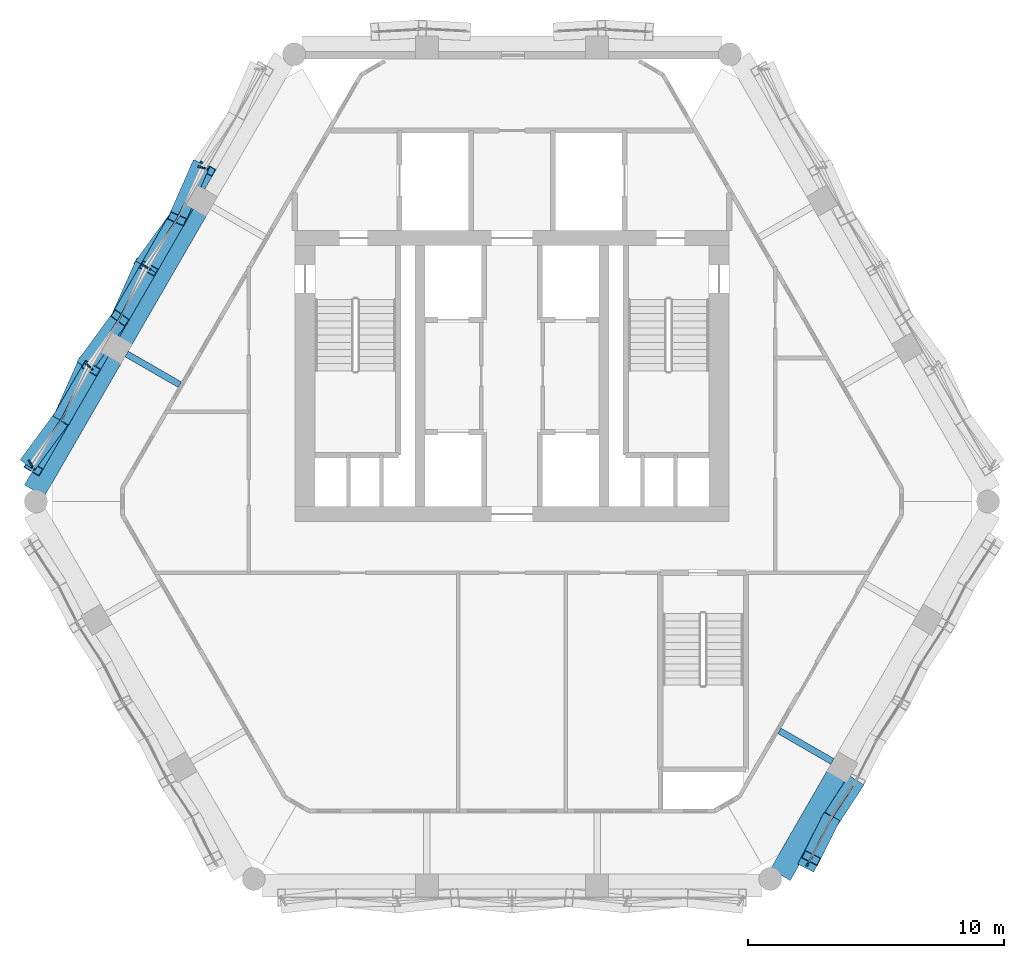
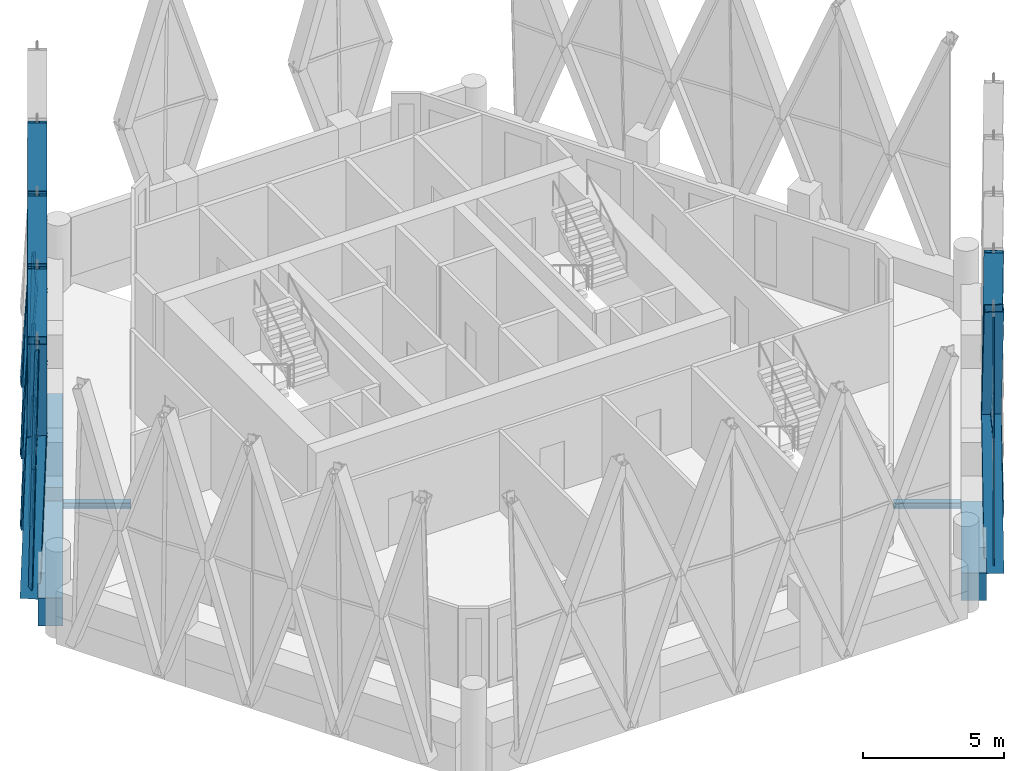
# One storey, part 5 of 21: 34 members, 5 beams, 4 elements without a shape of their own.
"""IFC4 building model written with IfcOpenShell, lengths in metres."""

from ifc_helpers import new_model, si_unit, direction, frame, origin, origin_2d, place, context, subcontext, project, spatial, rectangle, hollow_rectangle, i_section, extrude, material, material_profile, profile_set, type_object, element, aggregate, save


model = new_model("IFC4")

# Units and contexts
model_context = context("Model", 3, precision=1e-05, world=origin(), true_north=direction((0.0, 1.0)))
body_context = subcontext(model_context, "Body", "Model", "MODEL_VIEW")
ifc_project = project(units=[si_unit("LENGTHUNIT", "METRE"), si_unit("AREAUNIT", "SQUARE_METRE"), si_unit("VOLUMEUNIT", "CUBIC_METRE"), si_unit("PLANEANGLEUNIT", "RADIAN"), si_unit("MASSUNIT", "GRAM", prefix="KILO")], contexts=[model_context])

# Site, building, storey
site_placement = place(None, origin())
site = spatial("IfcSite", under=ifc_project, at=site_placement, CompositionType="ELEMENT")
building_placement = place(site_placement, origin())
building = spatial("IfcBuilding", under=site, at=building_placement, Name="Ostrander Bayou Hotel Tower", CompositionType="ELEMENT")
storey_placement = place(building_placement, frame((0.0, 0.0, 256.25)))
storey = spatial("IfcBuildingStorey", under=building, at=storey_placement, Name="L63", CompositionType="ELEMENT", Elevation=256.25)

# Curtain wall, members
ifc_material_1 = material(Name="Aluminium and clear glass", Category="aluminium")
curtain_wall_type = type_object("IfcCurtainWallType", Name="CW-LAT lattice glazing", PredefinedType="NOTDEFINED", material=ifc_material_1)
curtain_wall_1_placement = place(storey_placement, origin())
curtain_wall_1 = element("IfcCurtainWall", 1, at=curtain_wall_1_placement, inside=storey, type_object=curtain_wall_type, Name="CW-LAT L63 NW 1", PredefinedType="NOTDEFINED")
ifc_material_2 = material(Name="Aluminium", Category="aluminium")
ifc_material_profile_1 = material_profile(ifc_material_2, hollow_rectangle(XDim=0.06005859375, YDim=0.159912109375, WallThickness=0.00390625, at=origin_2d()))
ifc_profile_set_1 = profile_set([ifc_material_profile_1], Name="Aluminium")
member_type_1 = type_object("IfcMemberType", Name="CW-LA mullion 60 x 160 mm", PredefinedType="MULLION", material=ifc_profile_set_1)
member_1_placement = place(storey_placement, frame((-12.20751953125, 12.174072265625, -0.60009765625), z_axis=(0.022042924236, -0.005467339476, 0.999742075583), x_axis=(0.240736986276, 0.970590389113, 0.0)))
member_1 = element("IfcMember", 2, at=member_1_placement, type_object=member_type_1, Name="CW-LAT mullion 4", PredefinedType="MULLION", context=body_context, shape_type="SweptSolid", body=[
    extrude(hollow_rectangle(XDim=0.06005859375, YDim=0.159912109375, WallThickness=0.00390625, at=origin_2d()), origin(), (0.0, 0.0, 1.0), 5.62646484375),
])
member_2_placement = place(storey_placement, frame((-12.08349609375, 12.143310546875, 5.02490234375), z_axis=(0.022042924236, -0.005467339476, 0.999742075583), x_axis=(0.240736986276, 0.970590389113, 0.0)))
member_2 = element("IfcMember", 3, at=member_2_placement, type_object=member_type_1, Name="CW-LAT mullion 5", PredefinedType="MULLION", context=body_context, shape_type="SweptSolid", body=[
    extrude(hollow_rectangle(XDim=0.06005859375, YDim=0.159912109375, WallThickness=0.00390625, at=origin_2d()), origin(), (0.0, 0.0, 1.0), 5.62646484375),
])
member_3_placement = place(storey_placement, frame((-14.427001953125, 8.32958984375, -0.60009765625), z_axis=(0.018875715587, -0.010934897306, 0.999762039378), x_axis=(0.501271486133, 0.865290065348, 0.0)))
member_3 = element("IfcMember", 4, at=member_3_placement, type_object=member_type_1, Name="CW-LAT mullion 8", PredefinedType="MULLION", context=body_context, shape_type="SweptSolid", body=[
    extrude(hollow_rectangle(XDim=0.06005859375, YDim=0.159912109375, WallThickness=0.00390625, at=origin_2d()), origin(), (0.0, 0.0, 1.0), 5.626220703125),
])
member_4_placement = place(storey_placement, frame((-14.32080078125, 8.26806640625, 5.02490234375), z_axis=(0.018875724526, -0.010891510014, 0.999762512817), x_axis=(0.499779910804, 0.866152435058, 0.0)))
member_4 = element("IfcMember", 5, at=member_4_placement, type_object=member_type_1, Name="CW-LAT mullion 9", PredefinedType="MULLION", context=body_context, shape_type="SweptSolid", body=[
    extrude(hollow_rectangle(XDim=0.06005859375, YDim=0.159912109375, WallThickness=0.00390625, at=origin_2d()), origin(), (0.0, 0.0, 1.0), 5.626220703125),
])
member_5_placement = place(storey_placement, frame((-16.646728515625, 4.485107421875, -0.60009765625), z_axis=(0.015751145303, -0.016358627491, 0.999742115112), x_axis=(0.720355571769, 0.693604966982, 0.0)))
member_5 = element("IfcMember", 6, at=member_5_placement, type_object=member_type_1, Name="CW-LAT mullion 12", PredefinedType="MULLION", context=body_context, shape_type="SweptSolid", body=[
    extrude(hollow_rectangle(XDim=0.06005859375, YDim=0.159912109375, WallThickness=0.00390625, at=origin_2d()), origin(), (0.0, 0.0, 1.0), 5.62646484375),
])
member_6_placement = place(storey_placement, frame((-16.55810546875, 4.39306640625, 5.02490234375), z_axis=(0.015751134108, -0.016402007418, 0.999741404528), x_axis=(0.721272918752, 0.692650977531, 0.0)))
member_6 = element("IfcMember", 7, at=member_6_placement, type_object=member_type_1, Name="CW-LAT mullion 13", PredefinedType="MULLION", context=body_context, shape_type="SweptSolid", body=[
    extrude(hollow_rectangle(XDim=0.06005859375, YDim=0.159912109375, WallThickness=0.00390625, at=origin_2d()), origin(), (0.0, 0.0, 1.0), 5.62646484375),
])
member_7_placement = place(storey_placement, frame((-18.866455078125, 0.640380859375, -0.60009765625), z_axis=(0.012626204898, -0.021781288175, 0.999683026982), x_axis=(0.865150838603, 0.501511741103, 0.0)))
member_7 = element("IfcMember", 8, at=member_7_placement, type_object=member_type_1, Name="CW-LAT mullion 16", PredefinedType="MULLION", context=body_context, shape_type="SweptSolid", body=[
    extrude(hollow_rectangle(XDim=0.06005859375, YDim=0.159912109375, WallThickness=0.00390625, at=origin_2d()), origin(), (0.0, 0.0, 1.0), 5.626708984375),
])
member_8_placement = place(storey_placement, frame((-18.79541015625, 0.517822265625, 5.02490234375), z_axis=(0.012582810856, -0.021824668484, 0.999682627996), x_axis=(0.866328918095, 0.499473928922, 0.0)))
member_8 = element("IfcMember", 9, at=member_8_placement, type_object=member_type_1, Name="CW-LAT mullion 17", PredefinedType="MULLION", context=body_context, shape_type="SweptSolid", body=[
    extrude(hollow_rectangle(XDim=0.06005859375, YDim=0.159912109375, WallThickness=0.00390625, at=origin_2d()), origin(), (0.0, 0.0, 1.0), 5.626708984375),
])
aggregate(curtain_wall_1, [member_1, member_2, member_3, member_4, member_5, member_6, member_7, member_8])

curtain_wall_2_placement = place(storey_placement, origin())
curtain_wall_2 = element("IfcCurtainWall", 10, at=curtain_wall_2_placement, inside=storey, type_object=curtain_wall_type, Name="CW-LAT L63 SE 1", PredefinedType="NOTDEFINED")
member_9_placement = place(storey_placement, frame((11.56591796875, -15.107421875, -0.60009765625), z_axis=(0.012582822759, 0.021781300087, 0.999683573706), x_axis=(-0.865898279276, 0.500220121494, 0.0)))
member_9 = element("IfcMember", 11, at=member_9_placement, type_object=member_type_1, Name="CW-LAT mullion 1", PredefinedType="MULLION", context=body_context, shape_type="SweptSolid", body=[
    extrude(hollow_rectangle(XDim=0.06005859375, YDim=0.159912109375, WallThickness=0.00390625, at=origin_2d()), origin(), (0.0, 0.0, 1.0), 5.626708984375),
])
member_10_placement = place(storey_placement, frame((11.63671875, -14.98486328125, 5.02490234375), z_axis=(0.012582810856, 0.021824668484, 0.999682627996), x_axis=(-0.866328918095, 0.499473928922, 0.0)))
member_10 = element("IfcMember", 12, at=member_10_placement, type_object=member_type_1, Name="CW-LAT mullion 2", PredefinedType="MULLION", context=body_context, shape_type="SweptSolid", body=[
    extrude(hollow_rectangle(XDim=0.06005859375, YDim=0.159912109375, WallThickness=0.00390625, at=origin_2d()), origin(), (0.0, 0.0, 1.0), 5.626708984375),
])
aggregate(curtain_wall_2, [member_9, member_10])

curtain_wall_3_placement = place(storey_placement, origin())
curtain_wall_3 = element("IfcCurtainWall", 13, at=curtain_wall_3_placement, inside=storey, type_object=curtain_wall_type, Name="CW-LAT L63 NW 2", PredefinedType="NOTDEFINED")
ifc_material_3 = material(Name="Aluminium", Category="aluminium")
ifc_material_profile_2 = material_profile(ifc_material_3, hollow_rectangle(XDim=0.06005859375, YDim=0.1201171875, WallThickness=0.00390625, at=origin_2d()))
ifc_profile_set_2 = profile_set([ifc_material_profile_2], Name="Aluminium")
member_type_2 = type_object("IfcMemberType", Name="CW-LA transom 60 x 120 mm", PredefinedType="USERDEFINED", material=ifc_profile_set_2)
member_11_placement = place(storey_placement, frame((-12.08349609375, 12.143310546875, 5.02490234375), z_axis=(-0.454348569345, -0.890823987965, 0.0), x_axis=(0.890823987965, -0.454348569345, 0.0)))
member_11 = element("IfcMember", 14, at=member_11_placement, type_object=member_type_2, Name="CW-LAT transom 7", ObjectType="TRANSOM", PredefinedType="USERDEFINED", context=body_context, shape_type="SweptSolid", body=[
    extrude(hollow_rectangle(XDim=0.06005859375, YDim=0.1201171875, WallThickness=0.00390625, at=origin_2d()), origin(), (0.0, 0.0, 1.0), 2.240234375),
])
member_12_placement = place(storey_placement, frame((-14.32080078125, 8.26806640625, 5.02490234375), z_axis=(0.544271942736, 0.83890884627, 0.0), x_axis=(-0.83890884627, 0.544271942736, 0.0)))
member_12 = element("IfcMember", 15, at=member_12_placement, type_object=member_type_2, Name="CW-LAT transom 10", ObjectType="TRANSOM", PredefinedType="USERDEFINED", context=body_context, shape_type="SweptSolid", body=[
    extrude(hollow_rectangle(XDim=0.06005859375, YDim=0.1201171875, WallThickness=0.00390625, at=origin_2d()), origin(), (0.0, 0.0, 1.0), 2.240478515625),
])
member_13_placement = place(storey_placement, frame((-14.32080078125, 8.26806640625, 5.02490234375), z_axis=(-0.454435047978, -0.890779875822, 0.0), x_axis=(0.890779875822, -0.454435047978, 0.0)))
member_13 = element("IfcMember", 16, at=member_13_placement, type_object=member_type_2, Name="CW-LAT transom 11", ObjectType="TRANSOM", PredefinedType="USERDEFINED", context=body_context, shape_type="SweptSolid", body=[
    extrude(hollow_rectangle(XDim=0.06005859375, YDim=0.1201171875, WallThickness=0.00390625, at=origin_2d()), origin(), (0.0, 0.0, 1.0), 2.240234375),
])
member_14_placement = place(storey_placement, frame((-16.55810546875, 4.39306640625, 5.02490234375), z_axis=(0.544245005542, 0.838926322118, 0.0), x_axis=(-0.838926322118, 0.544245005542, 0.0)))
member_14 = element("IfcMember", 17, at=member_14_placement, type_object=member_type_2, Name="CW-LAT transom 14", ObjectType="TRANSOM", PredefinedType="USERDEFINED", context=body_context, shape_type="SweptSolid", body=[
    extrude(hollow_rectangle(XDim=0.06005859375, YDim=0.1201171875, WallThickness=0.00390625, at=origin_2d()), origin(), (0.0, 0.0, 1.0), 2.240234375),
])
member_15_placement = place(storey_placement, frame((-16.55810546875, 4.39306640625, 5.02490234375), z_axis=(-0.454390937547, -0.890802377565, 0.0), x_axis=(0.890802377565, -0.454390937547, 0.0)))
member_15 = element("IfcMember", 18, at=member_15_placement, type_object=member_type_2, Name="CW-LAT transom 15", ObjectType="TRANSOM", PredefinedType="USERDEFINED", context=body_context, shape_type="SweptSolid", body=[
    extrude(hollow_rectangle(XDim=0.06005859375, YDim=0.1201171875, WallThickness=0.00390625, at=origin_2d()), origin(), (0.0, 0.0, 1.0), 2.240478515625),
])
member_16_placement = place(storey_placement, frame((-18.79541015625, 0.517822265625, 5.02490234375), z_axis=(0.544245005542, 0.838926322118, 0.0), x_axis=(-0.838926322118, 0.544245005542, 0.0)))
member_16 = element("IfcMember", 19, at=member_16_placement, type_object=member_type_2, Name="CW-LAT transom 18", ObjectType="TRANSOM", PredefinedType="USERDEFINED", context=body_context, shape_type="SweptSolid", body=[
    extrude(hollow_rectangle(XDim=0.06005859375, YDim=0.1201171875, WallThickness=0.00390625, at=origin_2d()), origin(), (0.0, 0.0, 1.0), 2.240234375),
])
aggregate(curtain_wall_3, [member_11, member_12, member_13, member_14, member_15, member_16])

curtain_wall_4_placement = place(storey_placement, origin())
curtain_wall_4 = element("IfcCurtainWall", 20, at=curtain_wall_4_placement, inside=storey, type_object=curtain_wall_type, Name="CW-LAT L63 SE 2", PredefinedType="NOTDEFINED")
member_17_placement = place(storey_placement, frame((11.63671875, -14.98486328125, 5.02490234375), z_axis=(0.453033876418, 0.891493301611, 0.0), x_axis=(-0.891493301611, 0.453033876418, 0.0)))
member_17 = element("IfcMember", 21, at=member_17_placement, type_object=member_type_2, Name="CW-LAT transom 3", ObjectType="TRANSOM", PredefinedType="USERDEFINED", context=body_context, shape_type="SweptSolid", body=[
    extrude(hollow_rectangle(XDim=0.06005859375, YDim=0.1201171875, WallThickness=0.00390625, at=origin_2d()), origin(), (0.0, 0.0, 1.0), 1.79248046875),
])
member_18_placement = place(storey_placement, frame((13.42626953125, -11.885009765625, 5.02490234375), z_axis=(-0.545486267621, -0.838119759841, 0.0), x_axis=(0.838119759841, -0.545486267621, 0.0)))
member_18 = element("IfcMember", 22, at=member_18_placement, type_object=member_type_2, Name="CW-LAT transom 6", ObjectType="TRANSOM", PredefinedType="USERDEFINED", context=body_context, shape_type="SweptSolid", body=[
    extrude(hollow_rectangle(XDim=0.06005859375, YDim=0.1201171875, WallThickness=0.00390625, at=origin_2d()), origin(), (0.0, 0.0, 1.0), 1.7919921875),
])
aggregate(curtain_wall_4, [member_17, member_18])

# Beams
ifc_material_4 = material(Name="Steel ASTM A992", Category="steel")
ifc_material_profile_3 = material_profile(ifc_material_4, i_section(OverallWidth=0.25390625, OverallDepth=0.25341796875, WebThickness=0.008544921875, FlangeThickness=0.01416015625, at=origin_2d()))
ifc_profile_set_3 = profile_set([ifc_material_profile_3], Name="Steel ASTM A992")
beam_type_1 = type_object("IfcBeamType", Name="LB2 loggia bracket W10x49", PredefinedType="BEAM", material=ifc_profile_set_3)
beam_1_placement = place(storey_placement, frame((-15.07861328125, 4.861083984375, -0.4267578125), z_axis=(0.866050077142, -0.499957262057, 0.0), x_axis=(0.499957262057, 0.866050077142, 0.0)))
element("IfcBeam", 23, at=beam_1_placement, inside=storey, type_object=beam_type_1, Name="LB2 L63 NW2", PredefinedType="BEAM", context=body_context, shape_type="SweptSolid", body=[
    extrude(i_section(OverallWidth=0.25390625, OverallDepth=0.25341796875, WebThickness=0.008544921875, FlangeThickness=0.01416015625, at=origin_2d()), origin(), (0.0, 0.0, 1.0), 2.400146484375),
])
beam_2_placement = place(storey_placement, frame((12.5380859375, -11.083251953125, -0.4267578125), z_axis=(-0.866024647952, 0.500001309137, 0.0), x_axis=(-0.500001309137, -0.866024647952, 0.0)))
element("IfcBeam", 24, at=beam_2_placement, inside=storey, type_object=beam_type_1, Name="LB2 L63 SE1", PredefinedType="BEAM", context=body_context, shape_type="SweptSolid", body=[
    extrude(i_section(OverallWidth=0.25390625, OverallDepth=0.25341796875, WebThickness=0.008544921875, FlangeThickness=0.01416015625, at=origin_2d()), origin(), (0.0, 0.0, 1.0), 2.39990234375),
])

# Members
ifc_material_5 = material(Name="Steel ASTM A572 Gr 50", Category="steel")
ifc_material_profile_4 = material_profile(ifc_material_5, hollow_rectangle(XDim=0.699951171875, YDim=0.35009765625, WallThickness=0.02490234375, at=origin_2d()))
ifc_profile_set_4 = profile_set([ifc_material_profile_4], Name="Steel ASTM A572 Gr 50")
member_type_3 = type_object("IfcMemberType", Name="LT1 lattice member box 700 x 350 x 25 mm", PredefinedType="BRACE", material=ifc_profile_set_4)
member_19_placement = place(storey_placement, frame((-13.101318359375, 10.147705078125, 5.02490234375), z_axis=(0.147850175557, 0.33519706559, -0.930474745927), x_axis=(-0.914948929609, 0.403569642325, 0.0)))
element("IfcMember", 25, at=member_19_placement, inside=storey, type_object=member_type_3, Name="LT1 L63 NW 5", PredefinedType="BRACE", context=body_context, shape_type="SweptSolid", body=[
    extrude(hollow_rectangle(XDim=0.699951171875, YDim=0.35009765625, WallThickness=0.02490234375, at=origin_2d()), origin(), (0.0, 0.0, 1.0), 6.04541015625),
])
member_20_placement = place(storey_placement, frame((-13.101318359375, 10.147705078125, 5.02490234375), z_axis=(0.188214782527, 0.32387268971, 0.927190205135), x_axis=(-0.864603789033, 0.502454264576, 0.0)))
element("IfcMember", 26, at=member_20_placement, inside=storey, type_object=member_type_3, Name="LT1 L63 NW 6", PredefinedType="BRACE", context=body_context, shape_type="SweptSolid", body=[
    extrude(hollow_rectangle(XDim=0.699951171875, YDim=0.35009765625, WallThickness=0.02490234375, at=origin_2d()), origin(), (0.0, 0.0, 1.0), 6.066650390625),
])
member_21_placement = place(storey_placement, frame((-13.101318359375, 10.147705078125, 5.02490234375), z_axis=(-0.218819247618, -0.300100725048, -0.928470619728), x_axis=(0.808012910691, -0.589164778442, 0.0)))
element("IfcMember", 27, at=member_21_placement, inside=storey, type_object=member_type_3, Name="LT1 L63 NW 7", PredefinedType="BRACE", context=body_context, shape_type="SweptSolid", body=[
    extrude(hollow_rectangle(XDim=0.699951171875, YDim=0.35009765625, WallThickness=0.02490234375, at=origin_2d()), origin(), (0.0, 0.0, 1.0), 6.058349609375),
])
member_22_placement = place(storey_placement, frame((-13.101318359375, 10.147705078125, 5.02490234375), z_axis=(-0.183901214779, -0.32061724945, 0.9291850852), x_axis=(0.867436250835, -0.497548340101, 0.0)))
element("IfcMember", 28, at=member_22_placement, inside=storey, type_object=member_type_3, Name="LT1 L63 NW 8", PredefinedType="BRACE", context=body_context, shape_type="SweptSolid", body=[
    extrude(hollow_rectangle(XDim=0.699951171875, YDim=0.35009765625, WallThickness=0.02490234375, at=origin_2d()), origin(), (0.0, 0.0, 1.0), 6.0537109375),
])
member_23_placement = place(storey_placement, frame((-15.3388671875, 6.2724609375, 5.02490234375), z_axis=(0.150513181786, 0.339551290423, -0.928466856318), x_axis=(-0.914209310493, 0.405242318383, 0.0)))
element("IfcMember", 29, at=member_23_placement, inside=storey, type_object=member_type_3, Name="LT1 L63 NW 9", PredefinedType="BRACE", context=body_context, shape_type="SweptSolid", body=[
    extrude(hollow_rectangle(XDim=0.699951171875, YDim=0.35009765625, WallThickness=0.02490234375, at=origin_2d()), origin(), (0.0, 0.0, 1.0), 6.058349609375),
])
member_24_placement = place(storey_placement, frame((-15.3388671875, 6.2724609375, 5.02490234375), z_axis=(0.185718467953, 0.319532556263, 0.929197285914), x_axis=(-0.864573340451, 0.502506655658, 0.0)))
element("IfcMember", 30, at=member_24_placement, inside=storey, type_object=member_type_3, Name="LT1 L63 NW 10", PredefinedType="BRACE", context=body_context, shape_type="SweptSolid", body=[
    extrude(hollow_rectangle(XDim=0.699951171875, YDim=0.35009765625, WallThickness=0.02490234375, at=origin_2d()), origin(), (0.0, 0.0, 1.0), 6.0537109375),
])
member_25_placement = place(storey_placement, frame((-15.3388671875, 6.2724609375, 5.02490234375), z_axis=(-0.216343178657, -0.295659587632, -0.930473555395), x_axis=(0.807021356526, -0.590522252003, 0.0)))
element("IfcMember", 31, at=member_25_placement, inside=storey, type_object=member_type_3, Name="LT1 L63 NW 11", PredefinedType="BRACE", context=body_context, shape_type="SweptSolid", body=[
    extrude(hollow_rectangle(XDim=0.699951171875, YDim=0.35009765625, WallThickness=0.02490234375, at=origin_2d()), origin(), (0.0, 0.0, 1.0), 6.04541015625),
])
member_26_placement = place(storey_placement, frame((-15.3388671875, 6.2724609375, 5.02490234375), z_axis=(-0.186360104934, -0.324993350777, 0.927172709499), x_axis=(0.867495200696, -0.497445551563, 0.0)))
element("IfcMember", 32, at=member_26_placement, inside=storey, type_object=member_type_3, Name="LT1 L63 NW 12", PredefinedType="BRACE", context=body_context, shape_type="SweptSolid", body=[
    extrude(hollow_rectangle(XDim=0.699951171875, YDim=0.35009765625, WallThickness=0.02490234375, at=origin_2d()), origin(), (0.0, 0.0, 1.0), 6.06689453125),
])
member_27_placement = place(storey_placement, frame((-17.576171875, 2.397216796875, 5.02490234375), z_axis=(0.15308160692, 0.343880720353, -0.926451332663), x_axis=(-0.913569102061, 0.406683532688, 0.0)))
element("IfcMember", 33, at=member_27_placement, inside=storey, type_object=member_type_3, Name="LT1 L63 NW 13", PredefinedType="BRACE", context=body_context, shape_type="SweptSolid", body=[
    extrude(hollow_rectangle(XDim=0.699951171875, YDim=0.35009765625, WallThickness=0.02490234375, at=origin_2d()), origin(), (0.0, 0.0, 1.0), 6.071533203125),
])
member_28_placement = place(storey_placement, frame((-17.576171875, 2.397216796875, 5.02490234375), z_axis=(0.183208290592, 0.315127959794, 0.931197664953), x_axis=(-0.864513909187, 0.502608894491, 0.0)))
element("IfcMember", 34, at=member_28_placement, inside=storey, type_object=member_type_3, Name="LT1 L63 NW 14", PredefinedType="BRACE", context=body_context, shape_type="SweptSolid", body=[
    extrude(hollow_rectangle(XDim=0.699951171875, YDim=0.35009765625, WallThickness=0.02490234375, at=origin_2d()), origin(), (0.0, 0.0, 1.0), 6.04052734375),
])
member_29_placement = place(storey_placement, frame((-17.576171875, 2.397216796875, 5.02490234375), z_axis=(-0.213886074507, -0.291225012707, -0.932438061807), x_axis=(0.805981051021, -0.59194133611, 0.0)))
element("IfcMember", 35, at=member_29_placement, inside=storey, type_object=member_type_3, Name="LT1 L63 NW 15", PredefinedType="BRACE", context=body_context, shape_type="SweptSolid", body=[
    extrude(hollow_rectangle(XDim=0.699951171875, YDim=0.35009765625, WallThickness=0.02490234375, at=origin_2d()), origin(), (0.0, 0.0, 1.0), 6.032470703125),
])
member_30_placement = place(storey_placement, frame((-17.576171875, 2.397216796875, 5.02490234375), z_axis=(-0.188882822207, -0.329300175365, 0.925140353665), x_axis=(0.867434872711, -0.497550742743, 0.0)))
element("IfcMember", 36, at=member_30_placement, inside=storey, type_object=member_type_3, Name="LT1 L63 NW 16", PredefinedType="BRACE", context=body_context, shape_type="SweptSolid", body=[
    extrude(hollow_rectangle(XDim=0.699951171875, YDim=0.35009765625, WallThickness=0.02490234375, at=origin_2d()), origin(), (0.0, 0.0, 1.0), 6.080078125),
])
member_31_placement = place(storey_placement, frame((12.44873046875, -13.386962890625, 5.02490234375), z_axis=(-0.148419099614, -0.289244854807, -0.945679218783), x_axis=(0.889707022632, -0.456531941796, 0.0)))
element("IfcMember", 37, at=member_31_placement, inside=storey, type_object=member_type_3, Name="LT1 L63 SE 1", PredefinedType="BRACE", context=body_context, shape_type="SweptSolid", body=[
    extrude(hollow_rectangle(XDim=0.699951171875, YDim=0.35009765625, WallThickness=0.02490234375, at=origin_2d()), origin(), (0.0, 0.0, 1.0), 5.947998046875),
])
member_32_placement = place(storey_placement, frame((12.44873046875, -13.386962890625, 5.02490234375), z_axis=(-0.126438040785, -0.251626693816, 0.959529795682), x_axis=(0.893538103617, -0.448987368848, 0.0)))
element("IfcMember", 38, at=member_32_placement, inside=storey, type_object=member_type_3, Name="LT1 L63 SE 2", PredefinedType="BRACE", context=body_context, shape_type="SweptSolid", body=[
    extrude(hollow_rectangle(XDim=0.699951171875, YDim=0.35009765625, WallThickness=0.02490234375, at=origin_2d()), origin(), (0.0, 0.0, 1.0), 5.8623046875),
])
member_33_placement = place(storey_placement, frame((12.44873046875, -13.386962890625, 5.02490234375), z_axis=(0.160159604697, 0.244908480776, -0.956226300134), x_axis=(-0.836927136533, 0.547314322976, 0.0)))
element("IfcMember", 39, at=member_33_placement, inside=storey, type_object=member_type_3, Name="LT1 L63 SE 3", PredefinedType="BRACE", context=body_context, shape_type="SweptSolid", body=[
    extrude(hollow_rectangle(XDim=0.699951171875, YDim=0.35009765625, WallThickness=0.02490234375, at=origin_2d()), origin(), (0.0, 0.0, 1.0), 5.882568359375),
])
member_34_placement = place(storey_placement, frame((12.44873046875, -13.386962890625, 5.02490234375), z_axis=(0.170986839235, 0.263855353846, 0.949285970114), x_axis=(-0.839197287019, 0.543827098865, 0.0)))
element("IfcMember", 40, at=member_34_placement, inside=storey, type_object=member_type_3, Name="LT1 L63 SE 4", PredefinedType="BRACE", context=body_context, shape_type="SweptSolid", body=[
    extrude(hollow_rectangle(XDim=0.699951171875, YDim=0.35009765625, WallThickness=0.02490234375, at=origin_2d()), origin(), (0.0, 0.0, 1.0), 5.925537109375),
])

# Beams
ifc_material_6 = material(Name="Concrete f'c 60 MPa", Category="concrete")
ifc_material_profile_5 = material_profile(ifc_material_6, rectangle(XDim=0.89990234375, YDim=1.199951171875, at=origin_2d()))
ifc_profile_set_5 = profile_set([ifc_material_profile_5], Name="Concrete f'c 60 MPa")
beam_type_2 = type_object("IfcBeamType", Name="SP4 spandrel beam 900 x 1200 mm f'c 60 MPa", PredefinedType="SPANDREL", material=ifc_profile_set_5)
beam_3_placement = place(storey_placement, frame((-12.348876953125, 10.489013671875, -0.60009765625), z_axis=(-0.500015433515, -0.866016493057, 0.0), x_axis=(0.866016493057, -0.500015433515, 0.0)))
element("IfcBeam", 41, at=beam_3_placement, inside=storey, type_object=beam_type_2, Name="SP4 L63 NW-2", PredefinedType="SPANDREL", context=body_context, shape_type="SweptSolid", body=[
    extrude(rectangle(XDim=0.89990234375, YDim=1.199951171875, at=origin_2d()), origin(), (0.0, 0.0, 1.0), 5.818603515625),
])
beam_4_placement = place(storey_placement, frame((-15.67822265625, 4.722412109375, -0.60009765625), z_axis=(-0.499996383721, -0.866027491634, 0.0), x_axis=(0.866027491634, -0.499996383721, 0.0)))
element("IfcBeam", 42, at=beam_4_placement, inside=storey, type_object=beam_type_2, Name="SP4 L63 NW-3", PredefinedType="SPANDREL", context=body_context, shape_type="SweptSolid", body=[
    extrude(rectangle(XDim=0.89990234375, YDim=1.199951171875, at=origin_2d()), origin(), (0.0, 0.0, 1.0), 6.017578125),
])
beam_5_placement = place(storey_placement, frame((10.497802734375, -15.51708984375, -0.60009765625), z_axis=(0.500012810012, 0.866018007794, 0.0), x_axis=(-0.866018007794, 0.500012810012, 0.0)))
element("IfcBeam", 43, at=beam_5_placement, inside=storey, type_object=beam_type_2, Name="SP4 L63 SE-1", PredefinedType="SPANDREL", context=body_context, shape_type="SweptSolid", body=[
    extrude(rectangle(XDim=0.89990234375, YDim=1.199951171875, at=origin_2d()), origin(), (0.0, 0.0, 1.0), 4.43994140625),
])

save(model, "model.ifc")
